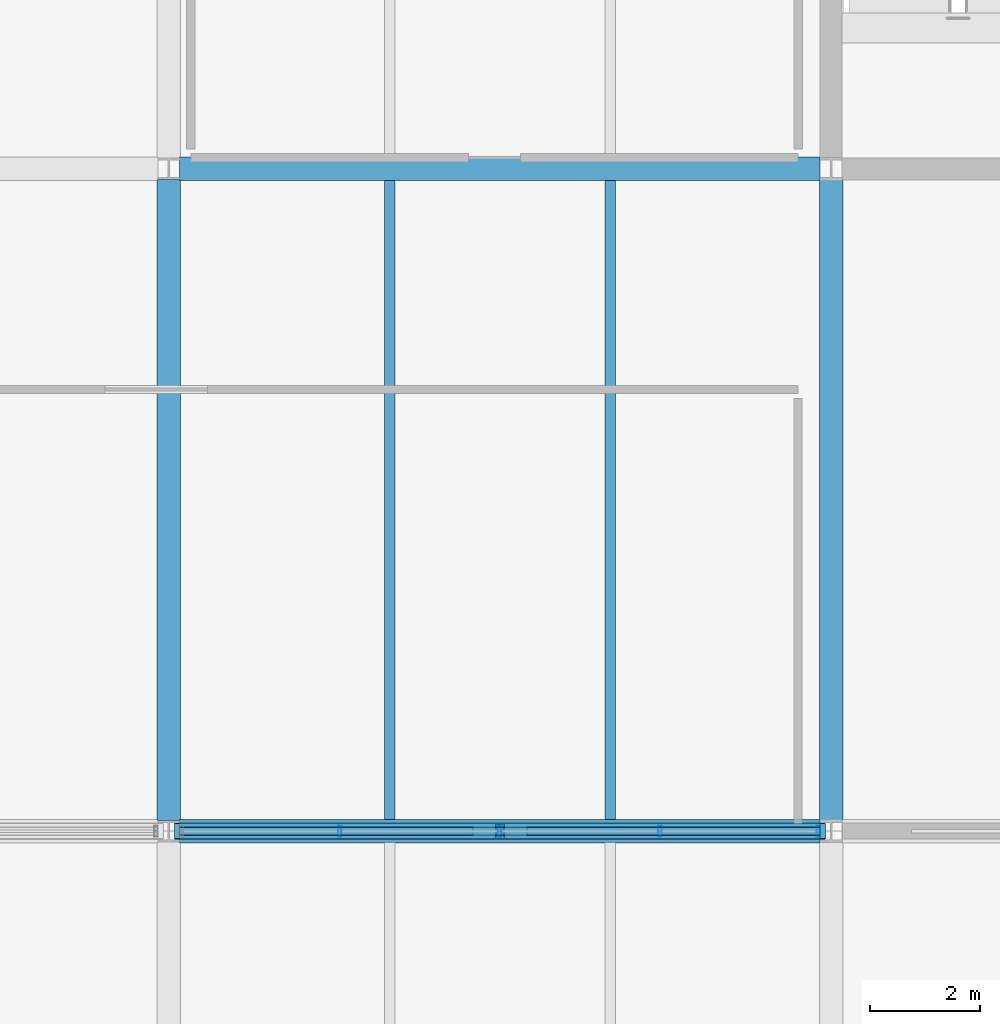
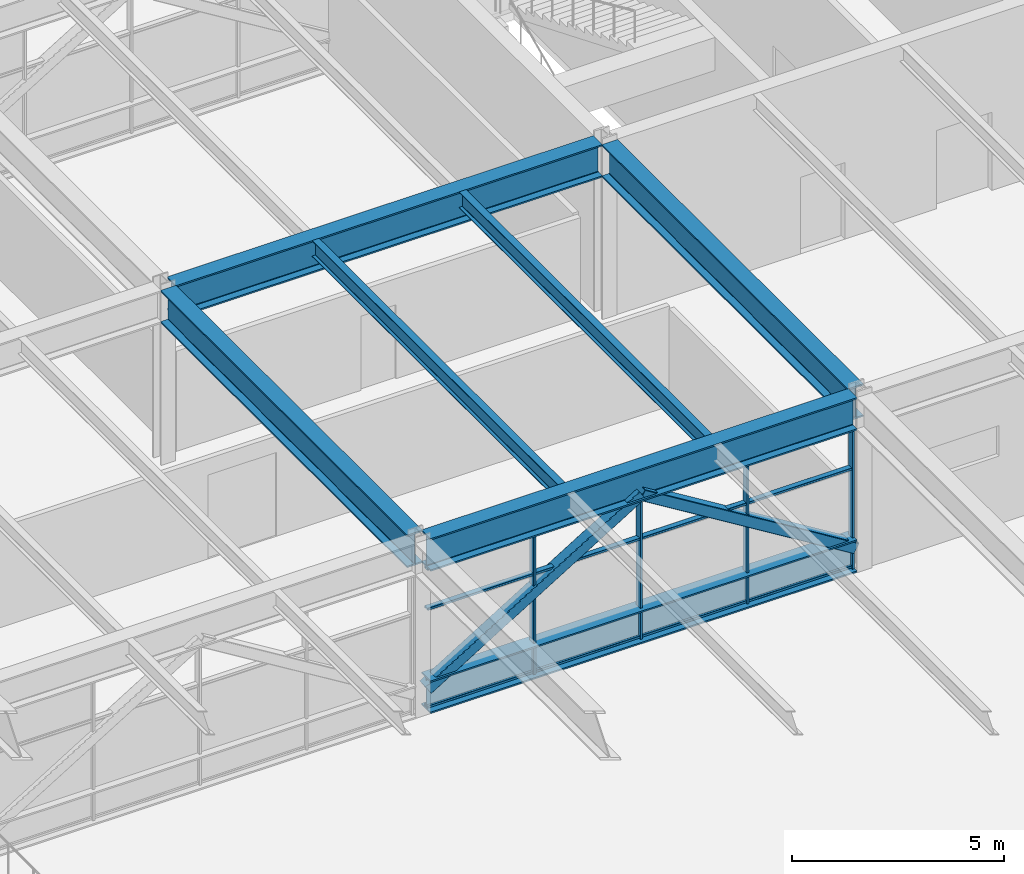
# One storey, part 8 of 42: 10 members, 6 beams, 1 element without a shape of its own.
"""IFC4 building model written with IfcOpenShell, lengths in metres."""

from ifc_helpers import new_model, si_unit, direction, frame, origin, origin_2d, place, context, subcontext, project, spatial, hollow_rectangle, i_section, extrude, material, material_profile, profile_set, type_object, element, aggregate, save


model = new_model("IFC4")

# Units and contexts
model_context = context("Model", 3, precision=1e-05, world=origin(), true_north=direction((0.0, 1.0)))
body_context = subcontext(model_context, "Body", "Model", "MODEL_VIEW")
ifc_project = project(units=[si_unit("LENGTHUNIT", "METRE"), si_unit("AREAUNIT", "SQUARE_METRE"), si_unit("VOLUMEUNIT", "CUBIC_METRE"), si_unit("PLANEANGLEUNIT", "RADIAN"), si_unit("MASSUNIT", "GRAM", prefix="KILO")], contexts=[model_context])

# Site, building, storey
site_placement = place(None, origin())
site = spatial("IfcSite", under=ifc_project, at=site_placement, CompositionType="ELEMENT")
building_placement = place(site_placement, origin())
building = spatial("IfcBuilding", under=site, at=building_placement, Name="Girod Span Mobility Hub", CompositionType="ELEMENT")
storey_placement = place(building_placement, frame((0.0, 0.0, 32.39990234375)))
storey = spatial("IfcBuildingStorey", under=building, at=storey_placement, Name="L08", CompositionType="ELEMENT", Elevation=32.39990234375)

# Beams
ifc_material_1 = material(Name="Steel A992 Grade 50", Category="steel")
ifc_material_profile_1 = material_profile(ifc_material_1, i_section(OverallWidth=0.19189453125, OverallDepth=0.462890625, WebThickness=0.010498046875, FlangeThickness=0.017578125, FilletRadius=0.013916015625, at=origin_2d()), Name="W18X60")
ifc_profile_set_1 = profile_set([ifc_material_profile_1], Name="Steel A992 Grade 50")
beam_type_1 = type_object("IfcBeamType", Name="BM-STL-W18X60", PredefinedType="BEAM", material=ifc_profile_set_1)
for number, where, z_axis, x_axis, name in (
    (1, (40.0, 45.20849609375, 4.80859375), (0.0, 1.0, 0.0), (-1.0, 0.0, 0.0), "Composite Floorbeam 4/D-1 L08"),
    (2, (44.0, 45.20849609375, 4.80859375), (0.0, 1.0, 0.0), (-1.0, 0.0, 0.0), "Composite Floorbeam 4/D-2 L08"),
):
    element("IfcBeam", number, at=place(storey_placement, frame(where, z_axis=z_axis, x_axis=x_axis)), inside=storey, type_object=beam_type_1, Name=name, PredefinedType="BEAM", context=body_context, shape_type="SweptSolid", body=[
        extrude(i_section(OverallWidth=0.19189453125, OverallDepth=0.462890625, WebThickness=0.010498046875, FlangeThickness=0.017578125, FilletRadius=0.013916015625, at=origin_2d()), origin(), (0.0, 0.0, 1.0), 11.5830078125),
    ])
ifc_material_2 = material(Name="Steel A992 Grade 50", Category="steel")
ifc_material_profile_2 = material_profile(ifc_material_2, i_section(OverallWidth=0.423095703125, OverallDepth=0.93994140625, WebThickness=0.02392578125, FlangeThickness=0.042724609375, FilletRadius=0.02392578125, at=origin_2d()), Name="W36X302")
ifc_profile_set_2 = profile_set([ifc_material_profile_2], Name="Steel A992 Grade 50")
beam_type_2 = type_object("IfcBeamType", Name="BM-STL-W36X302", PredefinedType="BEAM", material=ifc_profile_set_2)
for number, where, z_axis, x_axis, name in (
    (3, (36.196533203125, 45.0, 4.570068359375), (1.0, 0.0, 0.0), (0.0, 1.0, 0.0), "Girder 4-5/D L08"),
    (4, (36.196533203125, 57.0, 4.570068359375), (1.0, 0.0, 0.0), (0.0, 1.0, 0.0), "Girder 4-5/E L08"),
):
    element("IfcBeam", number, at=place(storey_placement, frame(where, z_axis=z_axis, x_axis=x_axis)), inside=storey, type_object=beam_type_2, Name=name, PredefinedType="BEAM", context=body_context, shape_type="SweptSolid", body=[
        extrude(i_section(OverallWidth=0.423095703125, OverallDepth=0.93994140625, WebThickness=0.02392578125, FlangeThickness=0.042724609375, FilletRadius=0.02392578125, at=origin_2d()), origin(), (0.0, 0.0, 1.0), 11.603515625),
    ])
beam_1_placement = place(storey_placement, frame((36.0, 45.193603515625, 4.570068359375), z_axis=(0.0, 1.0, 0.0), x_axis=(-1.0, 0.0, 0.0)))
element("IfcBeam", 5, at=beam_1_placement, inside=storey, type_object=beam_type_2, Name="Tie Girder 4/D-E L08", PredefinedType="BEAM", context=body_context, shape_type="SweptSolid", body=[
    extrude(i_section(OverallWidth=0.423095703125, OverallDepth=0.93994140625, WebThickness=0.02392578125, FlangeThickness=0.042724609375, FilletRadius=0.02392578125, at=origin_2d()), origin(), (0.0, 0.0, 1.0), 11.61279296875),
])
beam_2_placement = place(storey_placement, frame((48.0, 45.205078125, 4.570068359375), z_axis=(0.0, 1.0, 0.0), x_axis=(-1.0, 0.0, 0.0)))
element("IfcBeam", 6, at=beam_2_placement, inside=storey, type_object=beam_type_2, Name="Tie Girder 5/D-E L08", PredefinedType="BEAM", context=body_context, shape_type="SweptSolid", body=[
    extrude(i_section(OverallWidth=0.423095703125, OverallDepth=0.93994140625, WebThickness=0.02392578125, FlangeThickness=0.042724609375, FilletRadius=0.02392578125, at=origin_2d()), origin(), (0.0, 0.0, 1.0), 11.58984375),
])

# Curtain wall, members
ifc_material_3 = material(Name="Thermally Broken Anodised Aluminium", Category="aluminium")
curtain_wall_type = type_object("IfcCurtainWallType", Name="CW-1160X410", PredefinedType="USERDEFINED", material=ifc_material_3)
curtain_wall_placement = place(storey_placement, origin())
curtain_wall = element("IfcCurtainWall", 7, at=curtain_wall_placement, inside=storey, type_object=curtain_wall_type, Name="Unitised Curtain Wall CW-L08-S04 L08", ObjectType="UNITISED CURTAIN WALL", PredefinedType="USERDEFINED")
ifc_material_4 = material(Name="Thermally Broken Anodised Aluminium", Category="aluminium")
ifc_material_profile_3 = material_profile(ifc_material_4, hollow_rectangle(XDim=0.199951171875, YDim=0.06494140625, WallThickness=0.00390625, InnerFilletRadius=0.00390625, OuterFilletRadius=0.008056640625, at=origin_2d()), Name="CW-ML-65X200")
ifc_profile_set_3 = profile_set([ifc_material_profile_3], Name="Thermally Broken Anodised Aluminium")
member_type_1 = type_object("IfcMemberType", Name="CWM-ML-1", PredefinedType="MULLION", material=ifc_profile_set_3)
member_1_placement = place(storey_placement, frame((39.097900390625, 45.0, 0.0), z_axis=(0.0, 0.0, 1.0), x_axis=(0.0, 1.0, 0.0)))
member_1 = element("IfcMember", 8, at=member_1_placement, type_object=member_type_1, Name="Curtain Wall Mullion CW-L08-S04-M1", PredefinedType="MULLION", context=body_context, shape_type="SweptSolid", body=[
    extrude(hollow_rectangle(XDim=0.199951171875, YDim=0.06494140625, WallThickness=0.00390625, InnerFilletRadius=0.00390625, OuterFilletRadius=0.008056640625, at=origin_2d()), origin(), (0.0, 0.0, 1.0), 4.10009765625),
])
member_2_placement = place(storey_placement, frame((41.998291015625, 45.0, 0.0), z_axis=(0.0, 0.0, 1.0), x_axis=(0.0, 1.0, 0.0)))
member_2 = element("IfcMember", 9, at=member_2_placement, type_object=member_type_1, Name="Curtain Wall Mullion CW-L08-S04-M2", PredefinedType="MULLION", context=body_context, shape_type="SweptSolid", body=[
    extrude(hollow_rectangle(XDim=0.199951171875, YDim=0.06494140625, WallThickness=0.00390625, InnerFilletRadius=0.00390625, OuterFilletRadius=0.008056640625, at=origin_2d()), origin(), (0.0, 0.0, 1.0), 4.10009765625),
])
member_3_placement = place(storey_placement, frame((44.898681640625, 45.0, 0.0), z_axis=(0.0, 0.0, 1.0), x_axis=(0.0, 1.0, 0.0)))
member_3 = element("IfcMember", 10, at=member_3_placement, type_object=member_type_1, Name="Curtain Wall Mullion CW-L08-S04-M3", PredefinedType="MULLION", context=body_context, shape_type="SweptSolid", body=[
    extrude(hollow_rectangle(XDim=0.199951171875, YDim=0.06494140625, WallThickness=0.00390625, InnerFilletRadius=0.00390625, OuterFilletRadius=0.008056640625, at=origin_2d()), origin(), (0.0, 0.0, 1.0), 4.10009765625),
])
member_4_placement = place(storey_placement, frame((47.76708984375, 45.0, 0.0), z_axis=(0.0, 0.0, 1.0), x_axis=(0.0, 1.0, 0.0)))
member_4 = element("IfcMember", 11, at=member_4_placement, type_object=member_type_1, Name="Curtain Wall Mullion CW-L08-S04-M4", PredefinedType="MULLION", context=body_context, shape_type="SweptSolid", body=[
    extrude(hollow_rectangle(XDim=0.199951171875, YDim=0.06494140625, WallThickness=0.00390625, InnerFilletRadius=0.00390625, OuterFilletRadius=0.008056640625, at=origin_2d()), origin(), (0.0, 0.0, 1.0), 4.10009765625),
])
ifc_material_5 = material(Name="Thermally Broken Anodised Aluminium", Category="aluminium")
ifc_material_profile_4 = material_profile(ifc_material_5, hollow_rectangle(XDim=0.14990234375, YDim=0.06494140625, WallThickness=0.00390625, InnerFilletRadius=0.00390625, OuterFilletRadius=0.008056640625, at=origin_2d()), Name="CW-TR-65X150")
ifc_profile_set_4 = profile_set([ifc_material_profile_4], Name="Thermally Broken Anodised Aluminium")
member_type_2 = type_object("IfcMemberType", Name="CWM-TR-1", PredefinedType="USERDEFINED", material=ifc_profile_set_4)
member_5_placement = place(storey_placement, frame((36.197509765625, 45.0, 0.107666015625), z_axis=(1.0, 0.0, 0.0), x_axis=(0.0, 1.0, 0.0)))
member_5 = element("IfcMember", 12, at=member_5_placement, type_object=member_type_2, Name="Curtain Wall Transom CW-L08-S04-T1", ObjectType="TRANSOM", PredefinedType="USERDEFINED", context=body_context, shape_type="SweptSolid", body=[
    extrude(hollow_rectangle(XDim=0.14990234375, YDim=0.06494140625, WallThickness=0.00390625, InnerFilletRadius=0.00390625, OuterFilletRadius=0.008056640625, at=origin_2d()), origin(), (0.0, 0.0, 1.0), 11.6015625),
])
member_6_placement = place(storey_placement, frame((36.197509765625, 45.0, 2.919677734375), z_axis=(1.0, 0.0, 0.0), x_axis=(0.0, 1.0, 0.0)))
member_6 = element("IfcMember", 13, at=member_6_placement, type_object=member_type_2, Name="Curtain Wall Transom CW-L08-S04-T2", ObjectType="TRANSOM", PredefinedType="USERDEFINED", context=body_context, shape_type="SweptSolid", body=[
    extrude(hollow_rectangle(XDim=0.14990234375, YDim=0.06494140625, WallThickness=0.00390625, InnerFilletRadius=0.00390625, OuterFilletRadius=0.008056640625, at=origin_2d()), origin(), (0.0, 0.0, 1.0), 11.6015625),
])
member_7_placement = place(storey_placement, frame((36.197509765625, 45.0, 4.067626953125), z_axis=(1.0, 0.0, 0.0), x_axis=(0.0, 1.0, 0.0)))
member_7 = element("IfcMember", 14, at=member_7_placement, type_object=member_type_2, Name="Curtain Wall Transom CW-L08-S04-T3", ObjectType="TRANSOM", PredefinedType="USERDEFINED", context=body_context, shape_type="SweptSolid", body=[
    extrude(hollow_rectangle(XDim=0.14990234375, YDim=0.06494140625, WallThickness=0.00390625, InnerFilletRadius=0.00390625, OuterFilletRadius=0.008056640625, at=origin_2d()), origin(), (0.0, 0.0, 1.0), 11.6015625),
])
aggregate(curtain_wall, [member_1, member_2, member_3, member_4, member_5, member_6, member_7])

# Members
ifc_material_6 = material(Name="Steel HSS A500 Grade C", Category="steel")
ifc_material_profile_5 = material_profile(ifc_material_6, hollow_rectangle(XDim=0.304931640625, YDim=0.304931640625, WallThickness=0.014892578125, InnerFilletRadius=0.014892578125, OuterFilletRadius=0.029541015625, at=origin_2d()), Name="HSS305X305X16")
ifc_profile_set_5 = profile_set([ifc_material_profile_5], Name="Steel HSS A500 Grade C")
member_type_3 = type_object("IfcMemberType", Name="MB-BR-HSS305", PredefinedType="BRACE", material=ifc_profile_set_5)
member_8_placement = place(storey_placement, frame((36.179443359375, 45.0, 0.650146484375), z_axis=(0.852429572688, 0.0, 0.522842063731), x_axis=(0.0, 1.0, 0.0)))
element("IfcMember", 15, at=member_8_placement, inside=storey, type_object=member_type_3, Name="Warren Transfer Truss Web Diagonal Y=45 4-L", PredefinedType="BRACE", context=body_context, shape_type="SweptSolid", body=[
    extrude(hollow_rectangle(XDim=0.304931640625, YDim=0.304931640625, WallThickness=0.014892578125, InnerFilletRadius=0.014892578125, OuterFilletRadius=0.029541015625, at=origin_2d()), origin(), (0.0, 0.0, 1.0), 6.828125),
])
member_9_placement = place(storey_placement, frame((47.81689453125, 45.0, 0.650146484375), z_axis=(-0.852282861165, 0.0, 0.523081183531), x_axis=(0.0, -1.0, 0.0)))
element("IfcMember", 16, at=member_9_placement, inside=storey, type_object=member_type_3, Name="Warren Transfer Truss Web Diagonal Y=45 4-R", PredefinedType="BRACE", context=body_context, shape_type="SweptSolid", body=[
    extrude(hollow_rectangle(XDim=0.304931640625, YDim=0.304931640625, WallThickness=0.014892578125, InnerFilletRadius=0.014892578125, OuterFilletRadius=0.029541015625, at=origin_2d()), origin(), (0.0, 0.0, 1.0), 6.8251953125),
])
ifc_material_7 = material(Name="Steel A992 Grade 50", Category="steel")
ifc_material_profile_6 = material_profile(ifc_material_7, i_section(OverallWidth=0.423095703125, OverallDepth=0.93994140625, WebThickness=0.02392578125, FlangeThickness=0.042724609375, FilletRadius=0.02392578125, at=origin_2d()), Name="W36X302")
ifc_profile_set_6 = profile_set([ifc_material_profile_6], Name="Steel A992 Grade 50")
member_type_4 = type_object("IfcMemberType", Name="MB-CH-W36X302", PredefinedType="CHORD", material=ifc_profile_set_6)
member_10_placement = place(storey_placement, frame((36.196533203125, 45.0, 0.47998046875), z_axis=(1.0, 0.0, 0.0), x_axis=(0.0, 1.0, 0.0)))
element("IfcMember", 17, at=member_10_placement, inside=storey, type_object=member_type_4, Name="Warren Transfer Truss Bottom Chord Y=45 Bay 4", PredefinedType="CHORD", context=body_context, shape_type="SweptSolid", body=[
    extrude(i_section(OverallWidth=0.423095703125, OverallDepth=0.93994140625, WebThickness=0.02392578125, FlangeThickness=0.042724609375, FilletRadius=0.02392578125, at=origin_2d()), origin(), (0.0, 0.0, 1.0), 11.603515625),
])

save(model, "model.ifc")
